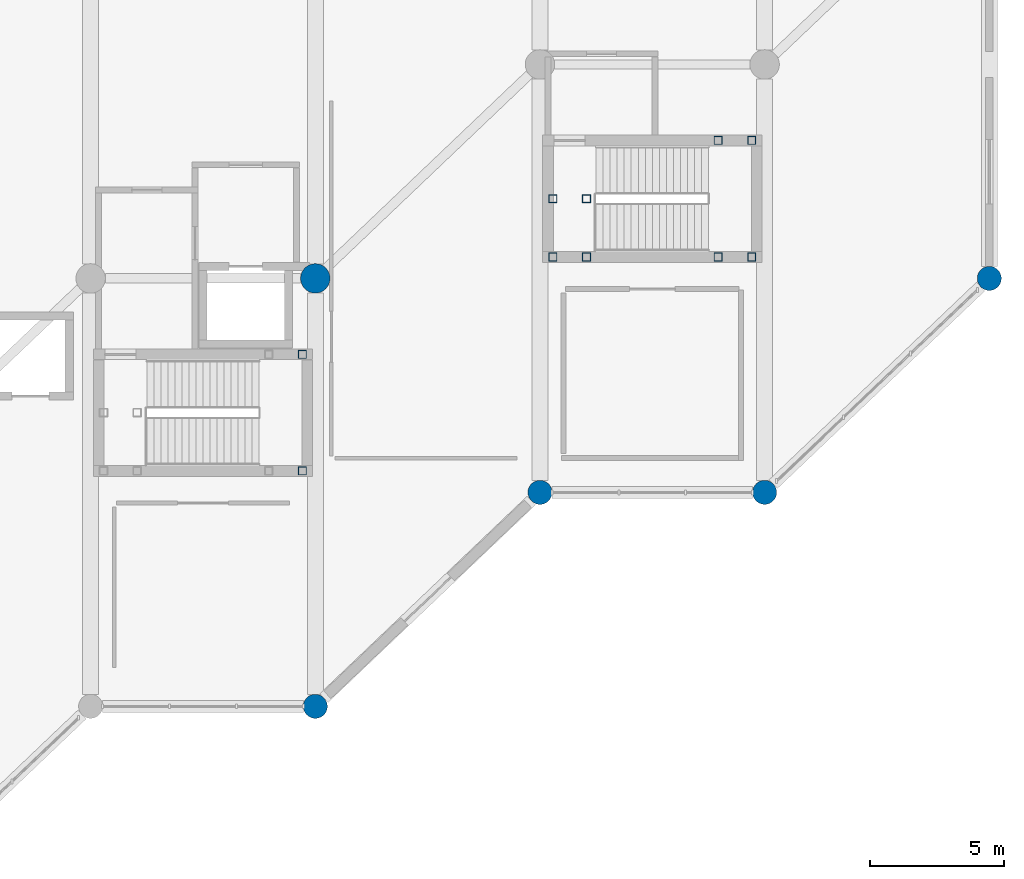
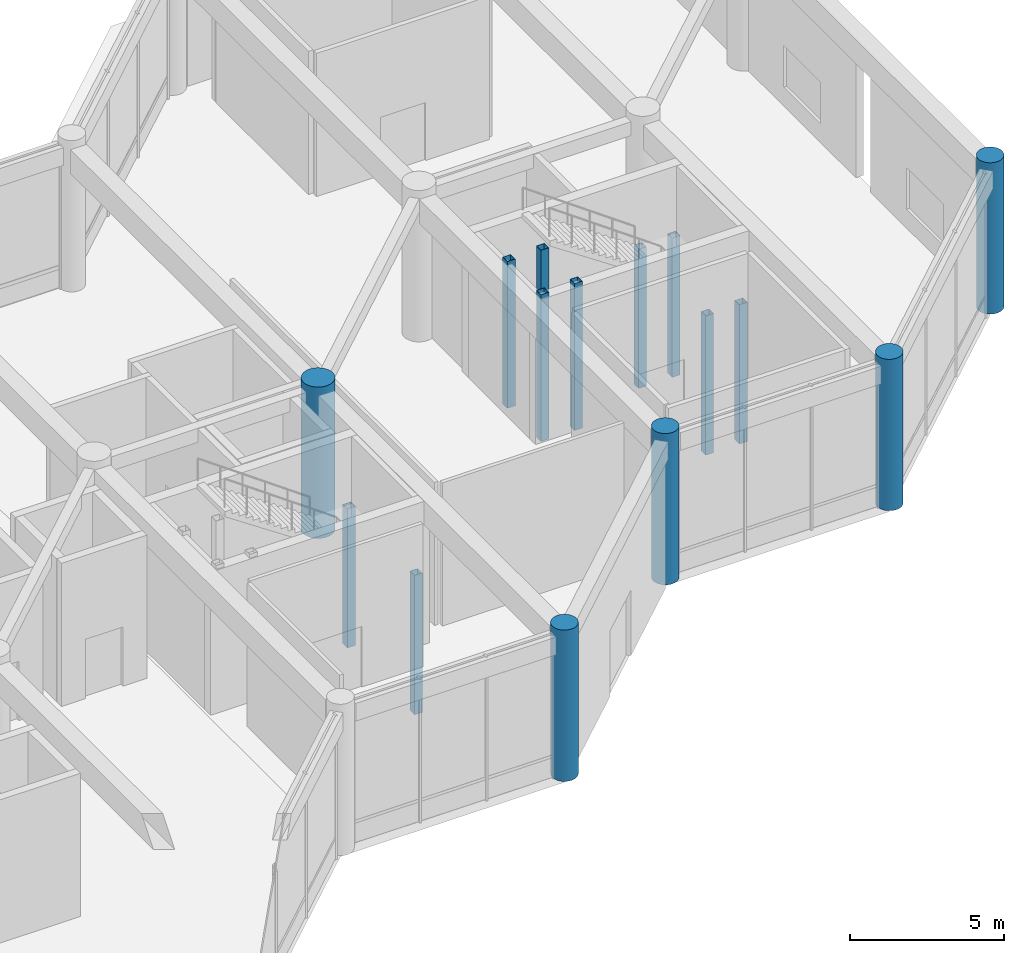
# One storey, part 17 of 76: 15 columns.
"""IFC4 building model written with IfcOpenShell, lengths in metres."""

from ifc_helpers import new_model, si_unit, direction, frame, origin, origin_2d, place, context, subcontext, project, spatial, hollow_rectangle, circle, extrude, material, material_profile, profile_set, type_object, element, save


model = new_model("IFC4")

# Units and contexts
model_context = context("Model", 3, precision=1e-05, world=origin(), true_north=direction((0.0, 1.0)))
body_context = subcontext(model_context, "Body", "Model", "MODEL_VIEW")
ifc_project = project(units=[si_unit("LENGTHUNIT", "METRE"), si_unit("AREAUNIT", "SQUARE_METRE"), si_unit("VOLUMEUNIT", "CUBIC_METRE"), si_unit("PLANEANGLEUNIT", "RADIAN"), si_unit("MASSUNIT", "GRAM", prefix="KILO")], contexts=[model_context])

# Site, building, storey
site_placement = place(None, origin())
site = spatial("IfcSite", under=ifc_project, at=site_placement, CompositionType="ELEMENT")
building_placement = place(site_placement, origin())
building = spatial("IfcBuilding", under=site, at=building_placement, Name="Naruveol Harbour Congress Hotel", CompositionType="ELEMENT")
storey_placement = place(building_placement, origin())
storey = spatial("IfcBuildingStorey", under=building, at=storey_placement, Name="L00", CompositionType="ELEMENT", Elevation=0.0)

# Columns
ifc_material_1 = material(Name="Concrete C50/60", Category="concrete")
ifc_material_profile_1 = material_profile(ifc_material_1, circle(Radius=0.449951171875, at=origin_2d()), Name="RC-D900")
ifc_profile_set_1 = profile_set([ifc_material_profile_1], Name="Concrete C50/60")
column_type_1 = type_object("IfcColumnType", Name="RC HARBOUR PILOTIS D900", PredefinedType="COLUMN", material=ifc_profile_set_1)
for number, where, z_axis, x_axis, name in (
    (1, (159.60009765625, 8.0, 0.0), (0.0, 0.0, 1.0), (1.0, 0.0, 0.0), "Column C-PD900 L00 (159.6,8.0)"),
    (2, (168.0, 16.0, 0.0), (0.0, 0.0, 1.0), (1.0, 0.0, 0.0), "Column C-PD900 L00 (168.0,16.0)"),
    (3, (176.39990234375, 16.0, 0.0), (0.0, 0.0, 1.0), (1.0, 0.0, 0.0), "Column C-PD900 L00 (176.4,16.0)"),
    (4, (184.800048828125, 24.0, 0.0), (0.0, 0.0, 1.0), (1.0, 0.0, 0.0), "Column C-PD900 L00 (184.8,24.0)"),
):
    element("IfcColumn", number, at=place(storey_placement, frame(where, z_axis=z_axis, x_axis=x_axis)), inside=storey, type_object=column_type_1, Name=name, PredefinedType="COLUMN", context=body_context, shape_type="SweptSolid", body=[
        extrude(circle(Radius=0.449951171875, at=origin_2d()), origin(), (0.0, 0.0, 1.0), 6.0),
    ])
ifc_material_2 = material(Name="Concrete C50/60", Category="concrete")
ifc_material_profile_2 = material_profile(ifc_material_2, circle(Radius=0.550048828125, at=origin_2d()), Name="RC-D1100")
ifc_profile_set_2 = profile_set([ifc_material_profile_2], Name="Concrete C50/60")
column_type_2 = type_object("IfcColumnType", Name="RC TRANSFER PILOTIS D1100", PredefinedType="COLUMN", material=ifc_profile_set_2)
column_placement = place(storey_placement, frame((159.60009765625, 24.0, 0.0), z_axis=(0.0, 0.0, 1.0), x_axis=(1.0, 0.0, 0.0)))
element("IfcColumn", 5, at=column_placement, inside=storey, type_object=column_type_2, Name="Column C-PD1100 L00 (159.6,24.0)", PredefinedType="COLUMN", context=body_context, shape_type="SweptSolid", body=[
    extrude(circle(Radius=0.550048828125, at=origin_2d()), origin(), (0.0, 0.0, 1.0), 6.0),
])
ifc_material_3 = material(Name="Steel SN490", Category="steel")
ifc_material_profile_3 = material_profile(ifc_material_3, hollow_rectangle(XDim=0.300048828125, YDim=0.300048828125, WallThickness=0.011962890625, at=origin_2d()), Name="SHS-300x300x12")
ifc_profile_set_3 = profile_set([ifc_material_profile_3], Name="Steel SN490")
column_type_3 = type_object("IfcColumnType", Name="STEEL COLONNADE POST SHS300", PredefinedType="COLUMN", material=ifc_profile_set_3)
for number, where, z_axis, x_axis, name in (
    (6, (159.1201171875, 16.800048828125, -2.699951171875), (0.0, 0.0, 1.0), (1.0, 0.0, 0.0), "Stair landing support post ST2E #170"),
    (7, (159.1201171875, 21.159912109375, -2.699951171875), (0.0, 0.0, 1.0), (1.0, 0.0, 0.0), "Stair landing support post ST2E #182"),
):
    element("IfcColumn", number, at=place(storey_placement, frame(where, z_axis=z_axis, x_axis=x_axis)), inside=storey, type_object=column_type_3, Name=name, PredefinedType="COLUMN", context=body_context, shape_type="SweptSolid", body=[
        extrude(hollow_rectangle(XDim=0.300048828125, YDim=0.300048828125, WallThickness=0.011962890625, at=origin_2d()), origin(), (0.0, 0.0, 1.0), 5.52001953125),
    ])
for number, where, z_axis, x_axis, name in (
    (8, (168.47998046875, 24.800048828125, 0.0), (0.0, 0.0, 1.0), (1.0, 0.0, 0.0), "Stair landing support post ST4W #274"),
    (9, (168.47998046875, 26.97998046875, 0.0), (0.0, 0.0, 1.0), (1.0, 0.0, 0.0), "Stair landing support post ST4W #282"),
    (10, (169.739990234375, 24.800048828125, 0.0), (0.0, 0.0, 1.0), (1.0, 0.0, 0.0), "Stair landing support post ST4W #290"),
    (11, (169.739990234375, 26.97998046875, 0.0), (0.0, 0.0, 1.0), (1.0, 0.0, 0.0), "Stair landing support post ST4W #298"),
):
    element("IfcColumn", number, at=place(storey_placement, frame(where, z_axis=z_axis, x_axis=x_axis)), inside=storey, type_object=column_type_3, Name=name, PredefinedType="COLUMN", context=body_context, shape_type="SweptSolid", body=[
        extrude(hollow_rectangle(XDim=0.300048828125, YDim=0.300048828125, WallThickness=0.011962890625, at=origin_2d()), origin(), (0.0, 0.0, 1.0), 5.820068359375),
    ])
for number, where, z_axis, x_axis, name in (
    (12, (174.659912109375, 24.800048828125, -2.699951171875), (0.0, 0.0, 1.0), (1.0, 0.0, 0.0), "Stair landing support post ST4E #306"),
    (13, (174.659912109375, 29.159912109375, -2.699951171875), (0.0, 0.0, 1.0), (1.0, 0.0, 0.0), "Stair landing support post ST4E #314"),
    (14, (175.919921875, 24.800048828125, -2.699951171875), (0.0, 0.0, 1.0), (1.0, 0.0, 0.0), "Stair landing support post ST4E #322"),
    (15, (175.919921875, 29.159912109375, -2.699951171875), (0.0, 0.0, 1.0), (1.0, 0.0, 0.0), "Stair landing support post ST4E #330"),
):
    element("IfcColumn", number, at=place(storey_placement, frame(where, z_axis=z_axis, x_axis=x_axis)), inside=storey, type_object=column_type_3, Name=name, PredefinedType="COLUMN", context=body_context, shape_type="SweptSolid", body=[
        extrude(hollow_rectangle(XDim=0.300048828125, YDim=0.300048828125, WallThickness=0.011962890625, at=origin_2d()), origin(), (0.0, 0.0, 1.0), 5.52001953125),
    ])

save(model, "model.ifc")
